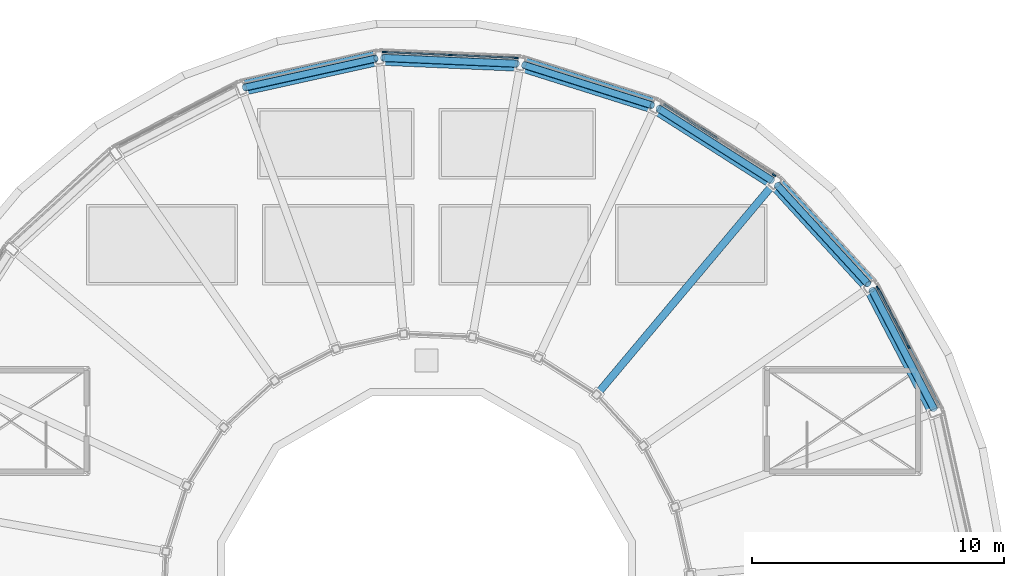
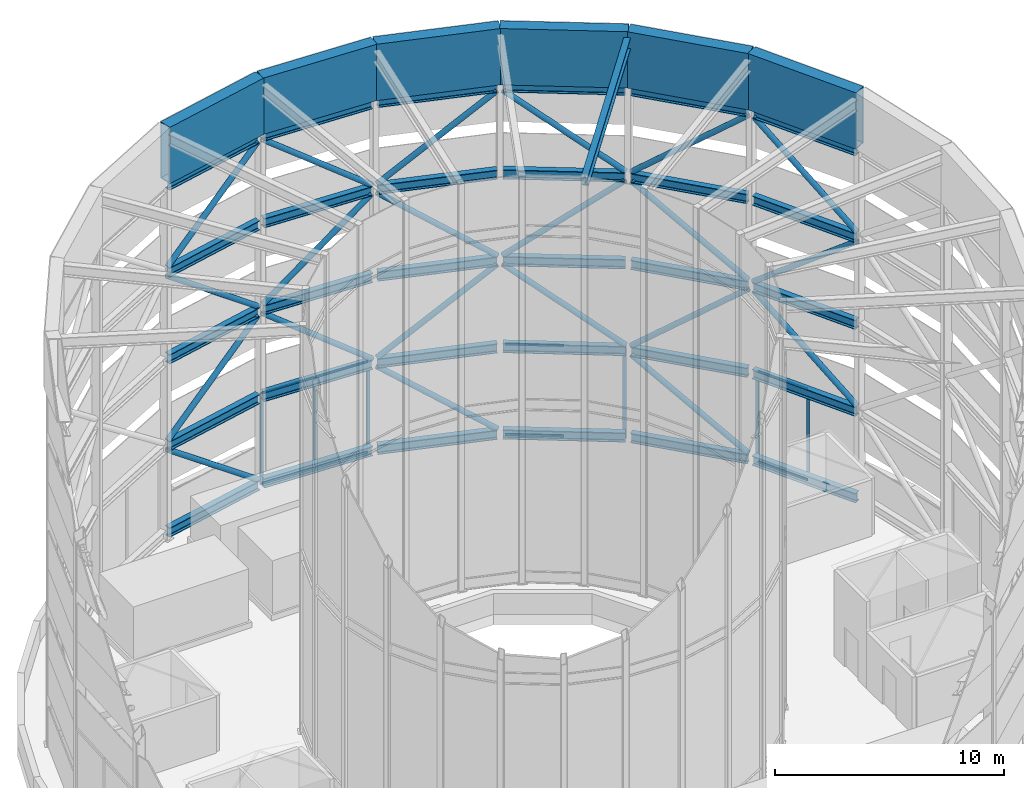
# One storey, part 11 of 20: 37 beams, 35 members, 3 elements without a shape of their own.
"""IFC4 building model written with IfcOpenShell, lengths in metres."""

from ifc_helpers import new_model, si_unit, direction, frame, origin, origin_2d, place, context, subcontext, project, spatial, rectangle, hollow_rectangle, hollow_circle, i_section, extrude, material, layer, layer_set, material_profile, profile_set, type_object, element, aggregate, save


model = new_model("IFC4")

# Units and contexts
model_context = context("Model", 3, precision=1e-05, world=origin(), true_north=direction((0.0, 1.0)))
body_context = subcontext(model_context, "Body", "Model", "MODEL_VIEW")
ifc_project = project(units=[si_unit("LENGTHUNIT", "METRE"), si_unit("AREAUNIT", "SQUARE_METRE"), si_unit("VOLUMEUNIT", "CUBIC_METRE"), si_unit("PLANEANGLEUNIT", "RADIAN"), si_unit("MASSUNIT", "GRAM", prefix="KILO")], contexts=[model_context])

# Site, building, storey
site_placement = place(None, origin())
site = spatial("IfcSite", under=ifc_project, at=site_placement, CompositionType="ELEMENT")
building_placement = place(site_placement, origin())
building = spatial("IfcBuilding", under=site, at=building_placement, Name="Saqina Gate Tower", CompositionType="ELEMENT")
storey_placement = place(building_placement, frame((0.0, 0.0, 284.199951171875)))
storey = spatial("IfcBuildingStorey", under=building, at=storey_placement, Name="RF", CompositionType="ELEMENT", Elevation=284.199951171875)

# Curtain wall, members
ifc_material_1 = material(Name="Aluminium glazing", Category="aluminium")
ifc_layer = layer(ifc_material_1, 0.159912109375)
ifc_layer_set = layer_set([ifc_layer], Name="CWT-5")
curtain_wall_type = type_object("IfcCurtainWallType", Name="CWT-5", PredefinedType="NOTDEFINED", material=ifc_layer_set)
curtain_wall_1_placement = place(storey_placement, origin())
curtain_wall_1 = element("IfcCurtainWall", 1, at=curtain_wall_1_placement, inside=storey, type_object=curtain_wall_type, Name="Crown glazing bay 2", PredefinedType="NOTDEFINED")
ifc_material_2 = material(Name="Aluminium", Category="aluminium")
ifc_material_profile_1 = material_profile(ifc_material_2, rectangle(XDim=0.06005859375, YDim=0.159912109375, at=origin_2d()), Name="Aluminium 60x160")
ifc_profile_set_1 = profile_set([ifc_material_profile_1], Name="Aluminium")
member_type_1 = type_object("IfcMemberType", Name="CWT-5M", PredefinedType="MULLION", material=ifc_profile_set_1)
member_1_placement = place(storey_placement, frame((19.111572265625, 9.948974609375, 0.0), z_axis=(0.0, 0.0, 1.0), x_axis=(-0.887009533519, -0.461751109849, 0.0)))
member_1 = element("IfcMember", 2, at=member_1_placement, type_object=member_type_1, Name="CW5-02 mullion 2", PredefinedType="MULLION", context=body_context, shape_type="SweptSolid", body=[
    extrude(rectangle(XDim=0.06005859375, YDim=0.159912109375, at=origin_2d()), origin(), (0.0, 0.0, 1.0), 4.875),
])
member_2_placement = place(storey_placement, frame((17.8994140625, 12.277587890625, 0.0), z_axis=(0.0, 0.0, 1.0), x_axis=(-0.887009533519, -0.461751109849, 0.0)))
member_2 = element("IfcMember", 3, at=member_2_placement, type_object=member_type_1, Name="CW5-02 mullion 3", PredefinedType="MULLION", context=body_context, shape_type="SweptSolid", body=[
    extrude(rectangle(XDim=0.06005859375, YDim=0.159912109375, at=origin_2d()), origin(), (0.0, 0.0, 1.0), 4.875),
])

# Curtain wall, member
curtain_wall_2_placement = place(storey_placement, origin())
curtain_wall_2 = element("IfcCurtainWall", 4, at=curtain_wall_2_placement, inside=storey, type_object=curtain_wall_type, Name="Crown glazing bay 4", PredefinedType="NOTDEFINED")
member_3_placement = place(storey_placement, frame((13.791015625, 16.76123046875, 0.0), z_axis=(0.0, 0.0, 1.0), x_axis=(-0.537294559068, -0.843394662537, 0.0)))
member_3 = element("IfcMember", 5, at=member_3_placement, type_object=member_type_1, Name="CW5-04 mullion 1", PredefinedType="MULLION", context=body_context, shape_type="SweptSolid", body=[
    extrude(rectangle(XDim=0.06005859375, YDim=0.159912109375, at=origin_2d()), origin(), (0.0, 0.0, 1.0), 4.875),
])

# Curtain wall, members
curtain_wall_3_placement = place(storey_placement, origin())
curtain_wall_3 = element("IfcCurtainWall", 6, at=curtain_wall_3_placement, inside=storey, type_object=curtain_wall_type, Name="Crown glazing bay 6", PredefinedType="NOTDEFINED")
member_4_placement = place(storey_placement, frame((3.562744140625, 21.410888671875, 0.0), z_axis=(0.0, 0.0, 1.0), x_axis=(-0.043629254589, -0.999047790721, 0.0)))
member_4 = element("IfcMember", 7, at=member_4_placement, type_object=member_type_1, Name="CW5-06 mullion 1", PredefinedType="MULLION", context=body_context, shape_type="SweptSolid", body=[
    extrude(rectangle(XDim=0.06005859375, YDim=0.159912109375, at=origin_2d()), origin(), (0.0, 0.0, 1.0), 4.875),
])
member_5_placement = place(storey_placement, frame((0.939697265625, 21.525634765625, 0.0), z_axis=(0.0, 0.0, 1.0), x_axis=(-0.043629254589, -0.999047790721, 0.0)))
member_5 = element("IfcMember", 8, at=member_5_placement, type_object=member_type_1, Name="CW5-06 mullion 2", PredefinedType="MULLION", context=body_context, shape_type="SweptSolid", body=[
    extrude(rectangle(XDim=0.06005859375, YDim=0.159912109375, at=origin_2d()), origin(), (0.0, 0.0, 1.0), 4.875),
])
member_6_placement = place(storey_placement, frame((-1.68310546875, 21.64013671875, 0.0), z_axis=(0.0, 0.0, 1.0), x_axis=(-0.043629254589, -0.999047790721, 0.0)))
member_6 = element("IfcMember", 9, at=member_6_placement, type_object=member_type_1, Name="CW5-06 mullion 3", PredefinedType="MULLION", context=body_context, shape_type="SweptSolid", body=[
    extrude(rectangle(XDim=0.06005859375, YDim=0.159912109375, at=origin_2d()), origin(), (0.0, 0.0, 1.0), 4.875),
])

# Member
ifc_material_3 = material(Name="Aluminium", Category="aluminium")
ifc_material_profile_2 = material_profile(ifc_material_3, rectangle(XDim=0.06005859375, YDim=0.1201171875, at=origin_2d()), Name="Aluminium 60x120")
ifc_profile_set_2 = profile_set([ifc_material_profile_2], Name="Aluminium")
member_type_2 = type_object("IfcMemberType", Name="CWT-5T", PredefinedType="USERDEFINED", material=ifc_profile_set_2)
member_7_placement = place(storey_placement, frame((19.09765625, 9.9755859375, 0.030029296875), z_axis=(-0.461772206872, 0.88699855071, 0.0), x_axis=(-0.88699855071, -0.461772206872, 0.0)))
member_7 = element("IfcMember", 10, at=member_7_placement, type_object=member_type_2, Name="CW5-02 transom 2.1", ObjectType="TRANSOM", PredefinedType="USERDEFINED", context=body_context, shape_type="SweptSolid", body=[
    extrude(rectangle(XDim=0.06005859375, YDim=0.1201171875, at=origin_2d()), origin(), (0.0, 0.0, 1.0), 2.565185546875),
])

member_8_placement = place(storey_placement, frame((19.09765625, 9.9755859375, 4.844970703125), z_axis=(-0.461772206872, 0.88699855071, 0.0), x_axis=(-0.88699855071, -0.461772206872, 0.0)))
member_8 = element("IfcMember", 11, at=member_8_placement, type_object=member_type_2, Name="CW5-02 transom 2.2", ObjectType="TRANSOM", PredefinedType="USERDEFINED", context=body_context, shape_type="SweptSolid", body=[
    extrude(rectangle(XDim=0.06005859375, YDim=0.1201171875, at=origin_2d()), origin(), (0.0, 0.0, 1.0), 2.565185546875),
])

aggregate(curtain_wall_1, [member_1, member_2, member_7, member_8])

member_9_placement = place(storey_placement, frame((11.551513671875, 18.18798828125, 0.030029296875), z_axis=(-0.843449819418, 0.537207969155, 0.0), x_axis=(-0.537207969155, -0.843449819418, 0.0)))
member_9 = element("IfcMember", 12, at=member_9_placement, type_object=member_type_2, Name="CW5-04 transom 2.1", ObjectType="TRANSOM", PredefinedType="USERDEFINED", context=body_context, shape_type="SweptSolid", body=[
    extrude(rectangle(XDim=0.06005859375, YDim=0.1201171875, at=origin_2d()), origin(), (0.0, 0.0, 1.0), 2.5654296875),
])

member_10_placement = place(storey_placement, frame((11.551513671875, 18.18798828125, 4.844970703125), z_axis=(-0.843449819418, 0.537207969155, 0.0), x_axis=(-0.537207969155, -0.843449819418, 0.0)))
member_10 = element("IfcMember", 13, at=member_10_placement, type_object=member_type_2, Name="CW5-04 transom 2.2", ObjectType="TRANSOM", PredefinedType="USERDEFINED", context=body_context, shape_type="SweptSolid", body=[
    extrude(rectangle(XDim=0.06005859375, YDim=0.1201171875, at=origin_2d()), origin(), (0.0, 0.0, 1.0), 2.5654296875),
])

aggregate(curtain_wall_2, [member_3, member_9, member_10])

member_11_placement = place(storey_placement, frame((3.53271484375, 21.412353515625, 0.030029296875), z_axis=(-0.999049683206, 0.043585897781, 0.0), x_axis=(-0.043585897781, -0.999049683206, 0.0)))
member_11 = element("IfcMember", 14, at=member_11_placement, type_object=member_type_2, Name="CW5-06 transom 1.1", ObjectType="TRANSOM", PredefinedType="USERDEFINED", context=body_context, shape_type="SweptSolid", body=[
    extrude(rectangle(XDim=0.06005859375, YDim=0.1201171875, at=origin_2d()), origin(), (0.0, 0.0, 1.0), 2.5654296875),
])

member_12_placement = place(storey_placement, frame((3.53271484375, 21.412353515625, 4.844970703125), z_axis=(-0.999049683206, 0.043585897781, 0.0), x_axis=(-0.043585897781, -0.999049683206, 0.0)))
member_12 = element("IfcMember", 15, at=member_12_placement, type_object=member_type_2, Name="CW5-06 transom 1.2", ObjectType="TRANSOM", PredefinedType="USERDEFINED", context=body_context, shape_type="SweptSolid", body=[
    extrude(rectangle(XDim=0.06005859375, YDim=0.1201171875, at=origin_2d()), origin(), (0.0, 0.0, 1.0), 2.5654296875),
])

member_13_placement = place(storey_placement, frame((0.909912109375, 21.52685546875, 0.030029296875), z_axis=(-0.999049683206, 0.043585897781, 0.0), x_axis=(-0.043585897781, -0.999049683206, 0.0)))
member_13 = element("IfcMember", 16, at=member_13_placement, type_object=member_type_2, Name="CW5-06 transom 2.1", ObjectType="TRANSOM", PredefinedType="USERDEFINED", context=body_context, shape_type="SweptSolid", body=[
    extrude(rectangle(XDim=0.06005859375, YDim=0.1201171875, at=origin_2d()), origin(), (0.0, 0.0, 1.0), 2.5654296875),
])

member_14_placement = place(storey_placement, frame((0.909912109375, 21.52685546875, 4.844970703125), z_axis=(-0.999049683206, 0.043585897781, 0.0), x_axis=(-0.043585897781, -0.999049683206, 0.0)))
member_14 = element("IfcMember", 17, at=member_14_placement, type_object=member_type_2, Name="CW5-06 transom 2.2", ObjectType="TRANSOM", PredefinedType="USERDEFINED", context=body_context, shape_type="SweptSolid", body=[
    extrude(rectangle(XDim=0.06005859375, YDim=0.1201171875, at=origin_2d()), origin(), (0.0, 0.0, 1.0), 2.5654296875),
])

aggregate(curtain_wall_3, [member_4, member_5, member_6, member_11, member_12, member_13, member_14])

# Beams
ifc_material_4 = material(Name="Steel S460", Category="steel")
ifc_material_profile_3 = material_profile(ifc_material_4, hollow_rectangle(XDim=0.60009765625, YDim=3.0, WallThickness=0.0400390625, at=origin_2d()), Name="BOX 600x3000x40")
ifc_profile_set_3 = profile_set([ifc_material_profile_3], Name="Steel S460")
beam_type_1 = type_object("IfcBeamType", Name="STR-CROWN CAP GIRDER-BOX 600x3000x40", PredefinedType="BEAM", material=ifc_profile_set_3)
beam_1_placement = place(storey_placement, frame((20.203369140625, 7.353515625, 20.5), z_axis=(-0.461752626906, 0.887008743782, 0.0), x_axis=(-0.887008743782, -0.461752626906, 0.0)))
element("IfcBeam", 18, at=beam_1_placement, inside=storey, type_object=beam_type_1, Name="CROWN CAP GIRDER 02", PredefinedType="BEAM", context=body_context, shape_type="SweptSolid", body=[
    extrude(hollow_rectangle(XDim=0.60009765625, YDim=3.0, WallThickness=0.0400390625, at=origin_2d()), origin(), (0.0, 0.0, 1.0), 5.6123046875),
])
beam_2_placement = place(storey_placement, frame((17.61181640625, 12.331787109375, 20.5), z_axis=(-0.67559461958, 0.737273293966, 0.0), x_axis=(-0.737273293966, -0.67559461958, 0.0)))
element("IfcBeam", 19, at=beam_2_placement, inside=storey, type_object=beam_type_1, Name="CROWN CAP GIRDER 03", PredefinedType="BEAM", context=body_context, shape_type="SweptSolid", body=[
    extrude(hollow_rectangle(XDim=0.60009765625, YDim=3.0, WallThickness=0.0400390625, at=origin_2d()), origin(), (0.0, 0.0, 1.0), 5.61279296875),
])
for number, where, z_axis, x_axis, name in (
    (20, (13.81982421875, 16.469970703125, 20.5), (-0.843394506745, 0.537294803616, 0.0), (-0.537294803616, -0.843394506745, 0.0), "CROWN CAP GIRDER 04"),
    (21, (9.086181640625, 19.485595703125, 20.5), (-0.953716026922, 0.300708729492, 0.0), (-0.300708729492, -0.953716026922, 0.0), "CROWN CAP GIRDER 05"),
    (22, (3.7333984375, 21.17333984375, 20.5), (-0.999047768243, 0.043629769301, 0.0), (-0.043629769301, -0.999047768243, 0.0), "CROWN CAP GIRDER 06"),
):
    element("IfcBeam", number, at=place(storey_placement, frame(where, z_axis=z_axis, x_axis=x_axis)), inside=storey, type_object=beam_type_1, Name=name, PredefinedType="BEAM", context=body_context, shape_type="SweptSolid", body=[
        extrude(hollow_rectangle(XDim=0.60009765625, YDim=3.0, WallThickness=0.0400390625, at=origin_2d()), origin(), (0.0, 0.0, 1.0), 5.612548828125),
    ])
beam_3_placement = place(storey_placement, frame((-1.873779296875, 21.418212890625, 20.5), z_axis=(-0.976295425331, -0.216442238202, 0.0), x_axis=(0.216442238202, -0.976295425331, 0.0)))
element("IfcBeam", 23, at=beam_3_placement, inside=storey, type_object=beam_type_1, Name="CROWN CAP GIRDER 07", PredefinedType="BEAM", context=body_context, shape_type="SweptSolid", body=[
    extrude(hollow_rectangle(XDim=0.60009765625, YDim=3.0, WallThickness=0.0400390625, at=origin_2d()), origin(), (0.0, 0.0, 1.0), 5.61279296875),
])
ifc_material_5 = material(Name="Steel S460", Category="steel")
ifc_material_profile_4 = material_profile(ifc_material_5, i_section(OverallWidth=0.300048828125, OverallDepth=0.60009765625, WebThickness=0.015380859375, FlangeThickness=0.030029296875, FilletRadius=0.027099609375, at=origin_2d()), Name="HE 600 B")
ifc_profile_set_4 = profile_set([ifc_material_profile_4], Name="Steel S460")
beam_type_2 = type_object("IfcBeamType", Name="STR-CROWN DECK BEAM-HE 600 B", PredefinedType="BEAM", material=ifc_profile_set_4)
beam_4_placement = place(storey_placement, frame((6.834228515625, 8.14453125, 21.400146484375), z_axis=(0.642780237985, 0.766050628651, 0.0), x_axis=(-0.766050628651, 0.642780237985, 0.0)))
element("IfcBeam", 24, at=beam_4_placement, inside=storey, type_object=beam_type_2, Name="CROWN DECK BEAM 04", PredefinedType="BEAM", context=body_context, shape_type="SweptSolid", body=[
    extrude(i_section(OverallWidth=0.300048828125, OverallDepth=0.60009765625, WebThickness=0.015380859375, FlangeThickness=0.030029296875, FilletRadius=0.027099609375, at=origin_2d()), origin(), (0.0, 0.0, 1.0), 10.568115234375),
])

# Members
ifc_material_6 = material(Name="Steel S460", Category="steel")
ifc_material_profile_5 = material_profile(ifc_material_6, hollow_circle(Radius=0.136474609375, WallThickness=0.012451171875, at=origin_2d()), Name="CHS 273x12.5")
ifc_profile_set_5 = profile_set([ifc_material_profile_5], Name="Steel S460")
member_type_3 = type_object("IfcMemberType", Name="STR-CROWN FRAME BRACE-CHS 273x12.5", PredefinedType="BRACE", material=ifc_profile_set_5)
member_15_placement = place(storey_placement, frame((20.142822265625, 7.469970703125, 5.113037109375), z_axis=(-0.364903517729, 0.700921995661, 0.612824427343), x_axis=(-0.886997034529, -0.461775119226, 0.0)))
element("IfcMember", 25, at=member_15_placement, inside=storey, type_object=member_type_3, Name="CROWN FRAME BRACE 2-02", PredefinedType="BRACE", context=body_context, shape_type="SweptSolid", body=[
    extrude(hollow_circle(Radius=0.136474609375, WallThickness=0.012451171875, at=origin_2d()), origin(), (0.0, 0.0, 1.0), 6.770263671875),
])
member_16_placement = place(storey_placement, frame((13.90869140625, 16.373046875, 5.113037109375), z_axis=(0.5338560336, -0.58261132659, 0.612830953459), x_axis=(0.73728293873, 0.675584094142, 0.0)))
element("IfcMember", 26, at=member_16_placement, inside=storey, type_object=member_type_3, Name="CROWN FRAME BRACE 2-03", PredefinedType="BRACE", context=body_context, shape_type="SweptSolid", body=[
    extrude(hollow_circle(Radius=0.136474609375, WallThickness=0.012451171875, at=origin_2d()), origin(), (0.0, 0.0, 1.0), 6.77001953125),
])
for number, where, z_axis, x_axis, name in (
    (27, (13.709228515625, 16.54052734375, 5.113037109375), (-0.666474743627, 0.424579246373, 0.612816350676), (-0.537288813555, -0.843398322756, 0.0), "CROWN FRAME BRACE 2-04"),
    (28, (3.858642578125, 21.1337890625, 5.113037109375), (0.753663006597, -0.237602179448, 0.612810963355), (0.300674889933, 0.953726695948, 0.0), "CROWN FRAME BRACE 2-05"),
    (29, (3.602294921875, 21.17919921875, 5.113037109375), (-0.789475863672, 0.034437923072, 0.612814727413), (-0.043579806387, -0.999049948939, 0.0), "CROWN FRAME BRACE 2-06"),
):
    element("IfcMember", number, at=place(storey_placement, frame(where, z_axis=z_axis, x_axis=x_axis)), inside=storey, type_object=member_type_3, Name=name, PredefinedType="BRACE", context=body_context, shape_type="SweptSolid", body=[
        extrude(hollow_circle(Radius=0.136474609375, WallThickness=0.012451171875, at=origin_2d()), origin(), (0.0, 0.0, 1.0), 6.770263671875),
    ])
member_17_placement = place(storey_placement, frame((-7.225341796875, 20.231689453125, 5.113037109375), z_axis=(0.771504315764, 0.171032716507, 0.6128041291), x_axis=(-0.216432771955, 0.976297523926, 0.0)))
element("IfcMember", 30, at=member_17_placement, inside=storey, type_object=member_type_3, Name="CROWN FRAME BRACE 2-07", PredefinedType="BRACE", context=body_context, shape_type="SweptSolid", body=[
    extrude(hollow_circle(Radius=0.136474609375, WallThickness=0.012451171875, at=origin_2d()), origin(), (0.0, 0.0, 1.0), 6.7705078125),
])
member_18_placement = place(storey_placement, frame((17.67236328125, 12.21533203125, 9.738037109375), z_axis=(0.364903517729, -0.700921995661, 0.612824427343), x_axis=(0.886997034529, 0.461775119226, 0.0)))
element("IfcMember", 31, at=member_18_placement, inside=storey, type_object=member_type_3, Name="CROWN FRAME BRACE 3-02", PredefinedType="BRACE", context=body_context, shape_type="SweptSolid", body=[
    extrude(hollow_circle(Radius=0.136474609375, WallThickness=0.012451171875, at=origin_2d()), origin(), (0.0, 0.0, 1.0), 6.770263671875),
])
member_19_placement = place(storey_placement, frame((17.52294921875, 12.4287109375, 9.738037109375), z_axis=(-0.5338560336, 0.58261132659, 0.612830953459), x_axis=(-0.73728293873, -0.675584094142, 0.0)))
element("IfcMember", 32, at=member_19_placement, inside=storey, type_object=member_type_3, Name="CROWN FRAME BRACE 3-03", PredefinedType="BRACE", context=body_context, shape_type="SweptSolid", body=[
    extrude(hollow_circle(Radius=0.136474609375, WallThickness=0.012451171875, at=origin_2d()), origin(), (0.0, 0.0, 1.0), 6.77001953125),
])
for number, where, z_axis, x_axis, name in (
    (33, (9.197021484375, 19.4150390625, 9.738037109375), (0.666474743627, -0.424579246373, 0.612816350676), (0.537288813555, 0.843398322756, 0.0), "CROWN FRAME BRACE 3-04"),
    (34, (8.961181640625, 19.525146484375, 9.738037109375), (-0.753663006597, 0.237602179448, 0.612810963355), (-0.300674889933, -0.953726695948, 0.0), "CROWN FRAME BRACE 3-05"),
    (35, (-1.74267578125, 21.412353515625, 9.738037109375), (0.789475863672, -0.034437923072, 0.612814727413), (0.043579806387, 0.999049948939, 0.0), "CROWN FRAME BRACE 3-06"),
):
    element("IfcMember", number, at=place(storey_placement, frame(where, z_axis=z_axis, x_axis=x_axis)), inside=storey, type_object=member_type_3, Name=name, PredefinedType="BRACE", context=body_context, shape_type="SweptSolid", body=[
        extrude(hollow_circle(Radius=0.136474609375, WallThickness=0.012451171875, at=origin_2d()), origin(), (0.0, 0.0, 1.0), 6.770263671875),
    ])
member_20_placement = place(storey_placement, frame((-2.001953125, 21.3896484375, 9.738037109375), z_axis=(-0.771504315764, -0.171032716507, 0.6128041291), x_axis=(0.216432771955, -0.976297523926, 0.0)))
element("IfcMember", 36, at=member_20_placement, inside=storey, type_object=member_type_3, Name="CROWN FRAME BRACE 3-07", PredefinedType="BRACE", context=body_context, shape_type="SweptSolid", body=[
    extrude(hollow_circle(Radius=0.136474609375, WallThickness=0.012451171875, at=origin_2d()), origin(), (0.0, 0.0, 1.0), 6.7705078125),
])
member_21_placement = place(storey_placement, frame((20.142822265625, 7.469970703125, 14.363037109375), z_axis=(-0.364903517729, 0.700921995661, 0.612824427343), x_axis=(-0.886997034529, -0.461775119226, 0.0)))
element("IfcMember", 37, at=member_21_placement, inside=storey, type_object=member_type_3, Name="CROWN FRAME BRACE 4-02", PredefinedType="BRACE", context=body_context, shape_type="SweptSolid", body=[
    extrude(hollow_circle(Radius=0.136474609375, WallThickness=0.012451171875, at=origin_2d()), origin(), (0.0, 0.0, 1.0), 6.770263671875),
])
member_22_placement = place(storey_placement, frame((13.90869140625, 16.373046875, 14.363037109375), z_axis=(0.5338560336, -0.58261132659, 0.612830953459), x_axis=(0.73728293873, 0.675584094142, 0.0)))
element("IfcMember", 38, at=member_22_placement, inside=storey, type_object=member_type_3, Name="CROWN FRAME BRACE 4-03", PredefinedType="BRACE", context=body_context, shape_type="SweptSolid", body=[
    extrude(hollow_circle(Radius=0.136474609375, WallThickness=0.012451171875, at=origin_2d()), origin(), (0.0, 0.0, 1.0), 6.77001953125),
])
for number, where, z_axis, x_axis, name in (
    (39, (13.709228515625, 16.54052734375, 14.363037109375), (-0.666474743627, 0.424579246373, 0.612816350676), (-0.537288813555, -0.843398322756, 0.0), "CROWN FRAME BRACE 4-04"),
    (40, (3.858642578125, 21.1337890625, 14.363037109375), (0.753663006597, -0.237602179448, 0.612810963355), (0.300674889933, 0.953726695948, 0.0), "CROWN FRAME BRACE 4-05"),
    (41, (3.602294921875, 21.17919921875, 14.363037109375), (-0.789475863672, 0.034437923072, 0.612814727413), (-0.043579806387, -0.999049948939, 0.0), "CROWN FRAME BRACE 4-06"),
):
    element("IfcMember", number, at=place(storey_placement, frame(where, z_axis=z_axis, x_axis=x_axis)), inside=storey, type_object=member_type_3, Name=name, PredefinedType="BRACE", context=body_context, shape_type="SweptSolid", body=[
        extrude(hollow_circle(Radius=0.136474609375, WallThickness=0.012451171875, at=origin_2d()), origin(), (0.0, 0.0, 1.0), 6.770263671875),
    ])
member_23_placement = place(storey_placement, frame((-7.225341796875, 20.231689453125, 14.363037109375), z_axis=(0.771504315764, 0.171032716507, 0.6128041291), x_axis=(-0.216432771955, 0.976297523926, 0.0)))
element("IfcMember", 42, at=member_23_placement, inside=storey, type_object=member_type_3, Name="CROWN FRAME BRACE 4-07", PredefinedType="BRACE", context=body_context, shape_type="SweptSolid", body=[
    extrude(hollow_circle(Radius=0.136474609375, WallThickness=0.012451171875, at=origin_2d()), origin(), (0.0, 0.0, 1.0), 6.7705078125),
])
ifc_material_7 = material(Name="Steel S460", Category="steel")
ifc_material_profile_6 = material_profile(ifc_material_7, hollow_circle(Radius=0.136474609375, WallThickness=0.02490234375, at=origin_2d()), Name="CHS 273x25")
ifc_profile_set_6 = profile_set([ifc_material_profile_6], Name="Steel S460")
member_type_4 = type_object("IfcMemberType", Name="STR-CROWN FRAME BRACE-CHS 273x25", PredefinedType="BRACE", material=ifc_profile_set_6)
member_24_placement = place(storey_placement, frame((17.52294921875, 12.4287109375, 0.512939453125), z_axis=(-0.5350598822, 0.583925118672, 0.610526312491), x_axis=(-0.73728293873, -0.675584094142, 0.0)))
element("IfcMember", 43, at=member_24_placement, inside=storey, type_object=member_type_4, Name="CROWN FRAME BRACE 1-03", PredefinedType="BRACE", context=body_context, shape_type="SweptSolid", body=[
    extrude(hollow_circle(Radius=0.136474609375, WallThickness=0.02490234375, at=origin_2d()), origin(), (0.0, 0.0, 1.0), 6.7548828125),
])
for number, where, z_axis, x_axis, name in (
    (44, (8.961181640625, 19.525146484375, 0.512939453125), (-0.755362410009, 0.238137938735, 0.61050630765), (-0.300674889933, -0.953726695948, 0.0), "CROWN FRAME BRACE 1-05"),
    (45, (-2.001953125, 21.3896484375, 0.512939453125), (-0.77324390987, -0.171418362445, 0.610499468358), (0.216432771955, -0.976297523926, 0.0), "CROWN FRAME BRACE 1-07"),
):
    element("IfcMember", number, at=place(storey_placement, frame(where, z_axis=z_axis, x_axis=x_axis)), inside=storey, type_object=member_type_4, Name=name, PredefinedType="BRACE", context=body_context, shape_type="SweptSolid", body=[
        extrude(hollow_circle(Radius=0.136474609375, WallThickness=0.02490234375, at=origin_2d()), origin(), (0.0, 0.0, 1.0), 6.755126953125),
    ])

# Beams
ifc_material_8 = material(Name="Steel S460", Category="steel")
ifc_material_profile_7 = material_profile(ifc_material_8, i_section(OverallWidth=0.300048828125, OverallDepth=0.5, WebThickness=0.014404296875, FlangeThickness=0.028076171875, FilletRadius=0.027099609375, at=origin_2d()), Name="HE 500 B")
ifc_profile_set_7 = profile_set([ifc_material_profile_7], Name="Steel S460")
beam_type_3 = type_object("IfcBeamType", Name="STR-CROWN RING BEAM-HE 500 B", PredefinedType="BEAM", material=ifc_profile_set_7)
for number, where, z_axis, x_axis, name in (
    (46, (20.142822265625, 7.469970703125, 0.275146484375), (-0.461775119226, 0.886997034529, 0.0), (-0.886997034529, -0.461775119226, 0.0), "CROWN RING BEAM 1-02"),
    (47, (17.52294921875, 12.4287109375, 0.275146484375), (-0.675584094142, 0.73728293873, 0.0), (-0.73728293873, -0.675584094142, 0.0), "CROWN RING BEAM 1-03"),
):
    element("IfcBeam", number, at=place(storey_placement, frame(where, z_axis=z_axis, x_axis=x_axis)), inside=storey, type_object=beam_type_3, Name=name, PredefinedType="BEAM", context=body_context, shape_type="SweptSolid", body=[
        extrude(i_section(OverallWidth=0.300048828125, OverallDepth=0.5, WebThickness=0.014404296875, FlangeThickness=0.028076171875, FilletRadius=0.027099609375, at=origin_2d()), origin(), (0.0, 0.0, 1.0), 5.349853515625),
    ])
for number, where, z_axis, x_axis, name in (
    (48, (13.709228515625, 16.54052734375, 0.275146484375), (-0.843398322756, 0.537288813555, 0.0), (-0.537288813555, -0.843398322756, 0.0), "CROWN RING BEAM 1-04"),
    (49, (8.961181640625, 19.525146484375, 0.275146484375), (-0.953726695948, 0.300674889933, 0.0), (-0.300674889933, -0.953726695948, 0.0), "CROWN RING BEAM 1-05"),
    (50, (3.602294921875, 21.17919921875, 0.275146484375), (-0.999049948939, 0.043579806387, 0.0), (-0.043579806387, -0.999049948939, 0.0), "CROWN RING BEAM 1-06"),
    (51, (-2.001953125, 21.3896484375, 0.275146484375), (-0.976297523926, -0.216432771955, 0.0), (0.216432771955, -0.976297523926, 0.0), "CROWN RING BEAM 1-07"),
):
    element("IfcBeam", number, at=place(storey_placement, frame(where, z_axis=z_axis, x_axis=x_axis)), inside=storey, type_object=beam_type_3, Name=name, PredefinedType="BEAM", context=body_context, shape_type="SweptSolid", body=[
        extrude(i_section(OverallWidth=0.300048828125, OverallDepth=0.5, WebThickness=0.014404296875, FlangeThickness=0.028076171875, FilletRadius=0.027099609375, at=origin_2d()), origin(), (0.0, 0.0, 1.0), 5.35009765625),
    ])
for number, where, z_axis, x_axis, name in (
    (52, (20.142822265625, 7.469970703125, 4.875), (-0.461775119226, 0.886997034529, 0.0), (-0.886997034529, -0.461775119226, 0.0), "CROWN RING BEAM 2-02"),
    (53, (17.52294921875, 12.4287109375, 4.875), (-0.675584094142, 0.73728293873, 0.0), (-0.73728293873, -0.675584094142, 0.0), "CROWN RING BEAM 2-03"),
):
    element("IfcBeam", number, at=place(storey_placement, frame(where, z_axis=z_axis, x_axis=x_axis)), inside=storey, type_object=beam_type_3, Name=name, PredefinedType="BEAM", context=body_context, shape_type="SweptSolid", body=[
        extrude(i_section(OverallWidth=0.300048828125, OverallDepth=0.5, WebThickness=0.014404296875, FlangeThickness=0.028076171875, FilletRadius=0.027099609375, at=origin_2d()), origin(), (0.0, 0.0, 1.0), 5.349853515625),
    ])
for number, where, z_axis, x_axis, name in (
    (54, (13.709228515625, 16.54052734375, 4.875), (-0.843398322756, 0.537288813555, 0.0), (-0.537288813555, -0.843398322756, 0.0), "CROWN RING BEAM 2-04"),
    (55, (8.961181640625, 19.525146484375, 4.875), (-0.953726695948, 0.300674889933, 0.0), (-0.300674889933, -0.953726695948, 0.0), "CROWN RING BEAM 2-05"),
    (56, (3.602294921875, 21.17919921875, 4.875), (-0.999049948939, 0.043579806387, 0.0), (-0.043579806387, -0.999049948939, 0.0), "CROWN RING BEAM 2-06"),
    (57, (-2.001953125, 21.3896484375, 4.875), (-0.976297523926, -0.216432771955, 0.0), (0.216432771955, -0.976297523926, 0.0), "CROWN RING BEAM 2-07"),
):
    element("IfcBeam", number, at=place(storey_placement, frame(where, z_axis=z_axis, x_axis=x_axis)), inside=storey, type_object=beam_type_3, Name=name, PredefinedType="BEAM", context=body_context, shape_type="SweptSolid", body=[
        extrude(i_section(OverallWidth=0.300048828125, OverallDepth=0.5, WebThickness=0.014404296875, FlangeThickness=0.028076171875, FilletRadius=0.027099609375, at=origin_2d()), origin(), (0.0, 0.0, 1.0), 5.35009765625),
    ])
for number, where, z_axis, x_axis, name in (
    (58, (20.142822265625, 7.469970703125, 9.5), (-0.461775119226, 0.886997034529, 0.0), (-0.886997034529, -0.461775119226, 0.0), "CROWN RING BEAM 3-02"),
    (59, (17.52294921875, 12.4287109375, 9.5), (-0.675584094142, 0.73728293873, 0.0), (-0.73728293873, -0.675584094142, 0.0), "CROWN RING BEAM 3-03"),
):
    element("IfcBeam", number, at=place(storey_placement, frame(where, z_axis=z_axis, x_axis=x_axis)), inside=storey, type_object=beam_type_3, Name=name, PredefinedType="BEAM", context=body_context, shape_type="SweptSolid", body=[
        extrude(i_section(OverallWidth=0.300048828125, OverallDepth=0.5, WebThickness=0.014404296875, FlangeThickness=0.028076171875, FilletRadius=0.027099609375, at=origin_2d()), origin(), (0.0, 0.0, 1.0), 5.349853515625),
    ])
for number, where, z_axis, x_axis, name in (
    (60, (13.709228515625, 16.54052734375, 9.5), (-0.843398322756, 0.537288813555, 0.0), (-0.537288813555, -0.843398322756, 0.0), "CROWN RING BEAM 3-04"),
    (61, (8.961181640625, 19.525146484375, 9.5), (-0.953726695948, 0.300674889933, 0.0), (-0.300674889933, -0.953726695948, 0.0), "CROWN RING BEAM 3-05"),
    (62, (3.602294921875, 21.17919921875, 9.5), (-0.999049948939, 0.043579806387, 0.0), (-0.043579806387, -0.999049948939, 0.0), "CROWN RING BEAM 3-06"),
    (63, (-2.001953125, 21.3896484375, 9.5), (-0.976297523926, -0.216432771955, 0.0), (0.216432771955, -0.976297523926, 0.0), "CROWN RING BEAM 3-07"),
):
    element("IfcBeam", number, at=place(storey_placement, frame(where, z_axis=z_axis, x_axis=x_axis)), inside=storey, type_object=beam_type_3, Name=name, PredefinedType="BEAM", context=body_context, shape_type="SweptSolid", body=[
        extrude(i_section(OverallWidth=0.300048828125, OverallDepth=0.5, WebThickness=0.014404296875, FlangeThickness=0.028076171875, FilletRadius=0.027099609375, at=origin_2d()), origin(), (0.0, 0.0, 1.0), 5.35009765625),
    ])
for number, where, z_axis, x_axis, name in (
    (64, (20.142822265625, 7.469970703125, 14.125), (-0.461775119226, 0.886997034529, 0.0), (-0.886997034529, -0.461775119226, 0.0), "CROWN RING BEAM 4-02"),
    (65, (17.52294921875, 12.4287109375, 14.125), (-0.675584094142, 0.73728293873, 0.0), (-0.73728293873, -0.675584094142, 0.0), "CROWN RING BEAM 4-03"),
):
    element("IfcBeam", number, at=place(storey_placement, frame(where, z_axis=z_axis, x_axis=x_axis)), inside=storey, type_object=beam_type_3, Name=name, PredefinedType="BEAM", context=body_context, shape_type="SweptSolid", body=[
        extrude(i_section(OverallWidth=0.300048828125, OverallDepth=0.5, WebThickness=0.014404296875, FlangeThickness=0.028076171875, FilletRadius=0.027099609375, at=origin_2d()), origin(), (0.0, 0.0, 1.0), 5.349853515625),
    ])
for number, where, z_axis, x_axis, name in (
    (66, (13.709228515625, 16.54052734375, 14.125), (-0.843398322756, 0.537288813555, 0.0), (-0.537288813555, -0.843398322756, 0.0), "CROWN RING BEAM 4-04"),
    (67, (8.961181640625, 19.525146484375, 14.125), (-0.953726695948, 0.300674889933, 0.0), (-0.300674889933, -0.953726695948, 0.0), "CROWN RING BEAM 4-05"),
    (68, (3.602294921875, 21.17919921875, 14.125), (-0.999049948939, 0.043579806387, 0.0), (-0.043579806387, -0.999049948939, 0.0), "CROWN RING BEAM 4-06"),
    (69, (-2.001953125, 21.3896484375, 14.125), (-0.976297523926, -0.216432771955, 0.0), (0.216432771955, -0.976297523926, 0.0), "CROWN RING BEAM 4-07"),
):
    element("IfcBeam", number, at=place(storey_placement, frame(where, z_axis=z_axis, x_axis=x_axis)), inside=storey, type_object=beam_type_3, Name=name, PredefinedType="BEAM", context=body_context, shape_type="SweptSolid", body=[
        extrude(i_section(OverallWidth=0.300048828125, OverallDepth=0.5, WebThickness=0.014404296875, FlangeThickness=0.028076171875, FilletRadius=0.027099609375, at=origin_2d()), origin(), (0.0, 0.0, 1.0), 5.35009765625),
    ])
for number, where, z_axis, x_axis, name in (
    (70, (20.142822265625, 7.469970703125, 18.75), (-0.461775119226, 0.886997034529, 0.0), (-0.886997034529, -0.461775119226, 0.0), "CROWN RING BEAM 5-02"),
    (71, (17.52294921875, 12.4287109375, 18.75), (-0.675584094142, 0.73728293873, 0.0), (-0.73728293873, -0.675584094142, 0.0), "CROWN RING BEAM 5-03"),
):
    element("IfcBeam", number, at=place(storey_placement, frame(where, z_axis=z_axis, x_axis=x_axis)), inside=storey, type_object=beam_type_3, Name=name, PredefinedType="BEAM", context=body_context, shape_type="SweptSolid", body=[
        extrude(i_section(OverallWidth=0.300048828125, OverallDepth=0.5, WebThickness=0.014404296875, FlangeThickness=0.028076171875, FilletRadius=0.027099609375, at=origin_2d()), origin(), (0.0, 0.0, 1.0), 5.349853515625),
    ])
for number, where, z_axis, x_axis, name in (
    (72, (13.709228515625, 16.54052734375, 18.75), (-0.843398322756, 0.537288813555, 0.0), (-0.537288813555, -0.843398322756, 0.0), "CROWN RING BEAM 5-04"),
    (73, (8.961181640625, 19.525146484375, 18.75), (-0.953726695948, 0.300674889933, 0.0), (-0.300674889933, -0.953726695948, 0.0), "CROWN RING BEAM 5-05"),
    (74, (3.602294921875, 21.17919921875, 18.75), (-0.999049948939, 0.043579806387, 0.0), (-0.043579806387, -0.999049948939, 0.0), "CROWN RING BEAM 5-06"),
    (75, (-2.001953125, 21.3896484375, 18.75), (-0.976297523926, -0.216432771955, 0.0), (0.216432771955, -0.976297523926, 0.0), "CROWN RING BEAM 5-07"),
):
    element("IfcBeam", number, at=place(storey_placement, frame(where, z_axis=z_axis, x_axis=x_axis)), inside=storey, type_object=beam_type_3, Name=name, PredefinedType="BEAM", context=body_context, shape_type="SweptSolid", body=[
        extrude(i_section(OverallWidth=0.300048828125, OverallDepth=0.5, WebThickness=0.014404296875, FlangeThickness=0.028076171875, FilletRadius=0.027099609375, at=origin_2d()), origin(), (0.0, 0.0, 1.0), 5.35009765625),
    ])

save(model, "model.ifc")
